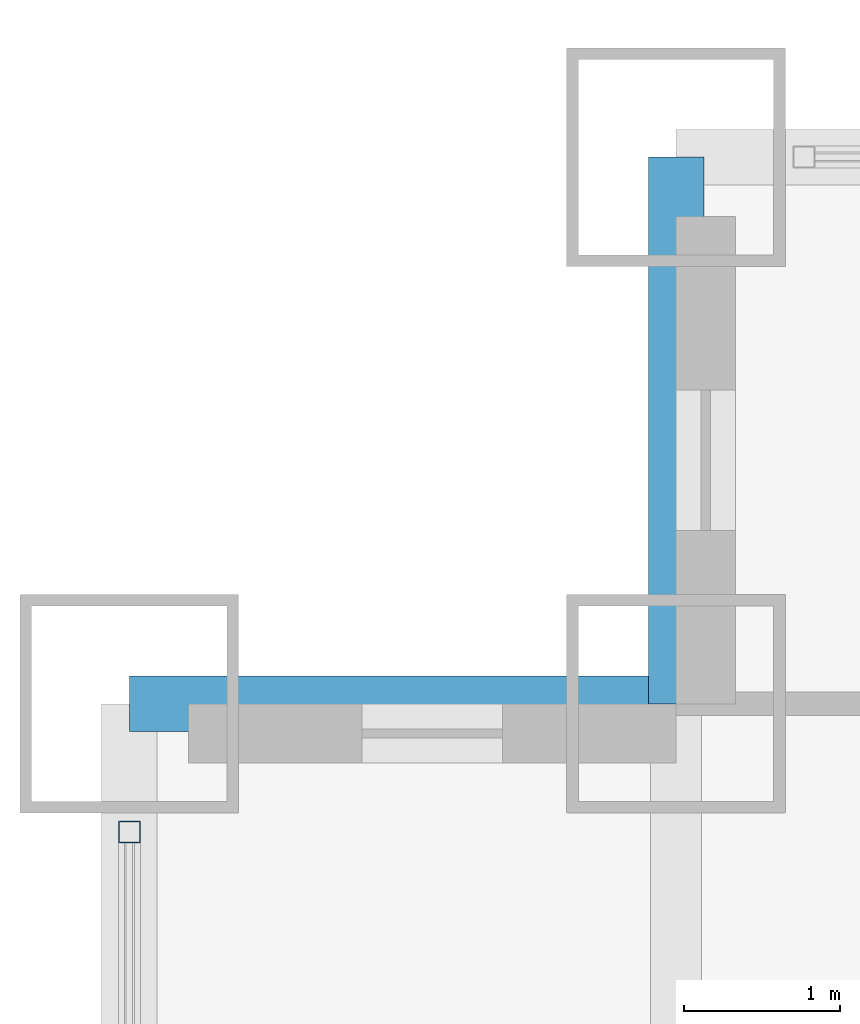
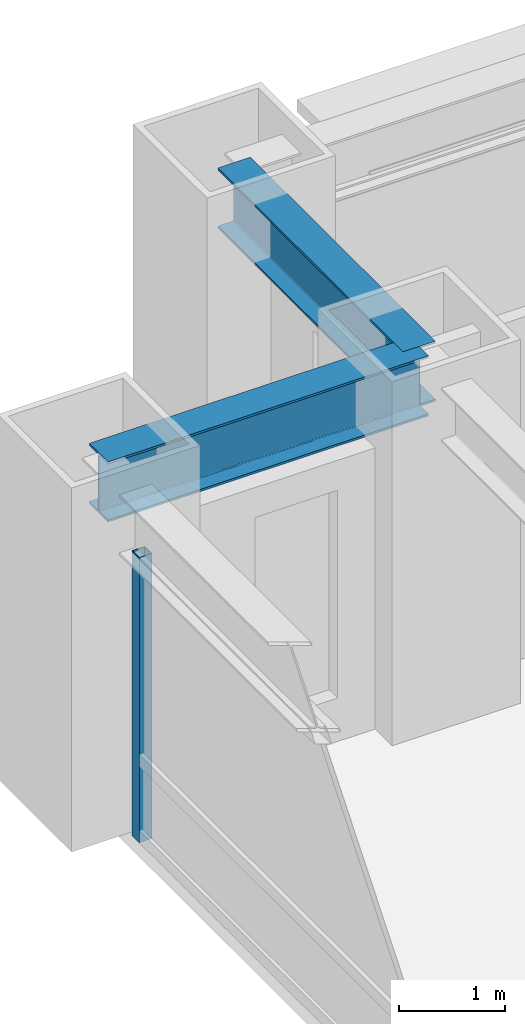
# One storey, part 14 of 31: 2 beams, 1 member, 1 element without a shape of its own.
"""IFC4 building model written with IfcOpenShell, lengths in metres."""

import ifcopenshell
import ifcopenshell.guid

model = None  # the IFC model being written
_history = None  # IfcOwnerHistory: only IFC2X3 demands one
_inside = {}  # id of a spatial element -> (the spatial element, [elements in it])
_under = {}  # id of a project, library or spatial element -> (it, [spatial elements below it])
_declared = {}  # id of a project -> (the project, [libraries it declares])
_typed = {}  # id of a type object -> (the type object, [elements of that type])
_made_of = {}  # id of a material, layer set ... -> (it, [elements and type objects made of it])


def new_model(schema):
    """Start an empty IFC model of exactly this schema.

    Asked for "IFC4X3", IfcOpenShell would pick the latest addendum, in which some entities
    have other attributes; the version numbers below select the first issue.
    IFC2X3 requires an IfcOwnerHistory on every rooted entity: one is made here for all.
    """
    global model, _history
    if schema == "IFC4X3":
        model = ifcopenshell.file(schema_version=(4, 3, 0, 0))
    else:
        model = ifcopenshell.file(schema=schema)
    _inside.clear()
    _under.clear()
    _declared.clear()
    _typed.clear()
    _made_of.clear()
    _history = None
    if model.schema == "IFC2X3":
        org = make("IfcOrganization", Name="unknown")
        user = make(
            "IfcPersonAndOrganization",
            ThePerson=make("IfcPerson", FamilyName="unknown"),
            TheOrganization=org,
        )
        app = make(
            "IfcApplication",
            ApplicationDeveloper=org,
            Version="unknown",
            ApplicationFullName="unknown",
            ApplicationIdentifier="unknown",
        )
        _history = make(
            "IfcOwnerHistory",
            OwningUser=user,
            OwningApplication=app,
            ChangeAction="ADDED",
            CreationDate=0,
        )
    return model


def make(cls, **values):
    """One entity of the class cls with the attributes given. An attribute that is None is left unset."""
    return model.create_entity(
        cls, **{name: value for name, value in values.items() if value is not None}
    )


def rooted(cls, **values):
    """An entity with a GlobalId (a new one), such as an element, a storey or a relation."""
    return make(cls, GlobalId=ifcopenshell.guid.new(), OwnerHistory=_history, **values)


def si_unit(unit_type, name, prefix=None):
    """IfcSIUnit, for example si_unit("LENGTHUNIT", "METRE", prefix="MILLI")."""
    return make("IfcSIUnit", UnitType=unit_type, Prefix=prefix, Name=name)


def assignment(units):
    """IfcUnitAssignment: the units of a project."""
    return None if units is None else make("IfcUnitAssignment", Units=units)


def point(xyz):
    """IfcCartesianPoint."""
    return None if xyz is None else make("IfcCartesianPoint", Coordinates=xyz)


def direction(xyz):
    """IfcDirection."""
    return None if xyz is None else make("IfcDirection", DirectionRatios=xyz)


def frame(location, z_axis=None, x_axis=None):
    """IfcAxis2Placement3D, a coordinate frame: its origin and axes. An axis left out is left unset."""
    return make(
        "IfcAxis2Placement3D",
        Location=point(location),
        Axis=direction(z_axis),
        RefDirection=direction(x_axis),
    )


def frame_2d(location, x_axis=None):
    """IfcAxis2Placement2D, a coordinate frame in the plane: its origin and x axis."""
    return make(
        "IfcAxis2Placement2D", Location=point(location), RefDirection=direction(x_axis)
    )


def origin():
    """The frame at (0, 0, 0) with its axes left unset."""
    return frame((0.0, 0.0, 0.0))


def origin_2d():
    """The frame at (0, 0) in the plane with its x axis left unset."""
    return frame_2d((0.0, 0.0))


def place(relative_to, where):
    """IfcLocalPlacement: puts the frame where relative to a parent placement (None: the world)."""
    return make(
        "IfcLocalPlacement", PlacementRelTo=relative_to, RelativePlacement=where
    )


def context(
    kind, dimensions, precision=None, world=None, true_north=None, identifier=None
):
    """IfcGeometricRepresentationContext, for example the 3D "Model" context."""
    return make(
        "IfcGeometricRepresentationContext",
        ContextIdentifier=identifier,
        ContextType=kind,
        CoordinateSpaceDimension=dimensions,
        Precision=precision,
        WorldCoordinateSystem=world,
        TrueNorth=true_north,
    )


def subcontext(parent, identifier, kind, view, scale=None):
    """IfcGeometricRepresentationSubContext, for example "Body" below "Model"."""
    return make(
        "IfcGeometricRepresentationSubContext",
        ContextIdentifier=identifier,
        ContextType=kind,
        ParentContext=parent,
        TargetScale=scale,
        TargetView=view,
    )


def project(units=None, contexts=None):
    """IfcProject with its units and contexts."""
    return rooted(
        "IfcProject",
        Name="project",
        RepresentationContexts=contexts,
        UnitsInContext=assignment(units),
    )


def spatial(cls, under=None, at=None, **own):
    """A site, building, storey or space (cls), placed at a placement, below another one or the project."""
    s = rooted(cls, ObjectPlacement=at, **own)
    if under is not None:
        _under.setdefault(under.id(), (under, []))[1].append(s)
    return s


def profile(cls, at=None, kind="AREA", **sizes):
    """A parametric profile (cls). Its sizes go by their IFC names, for example OverallWidth=200.0."""
    return make(cls, ProfileType=kind, Position=at, **sizes)


def hollow_rectangle(**sizes):
    """IfcRectangleHollowProfileDef."""
    return profile("IfcRectangleHollowProfileDef", **sizes)


def i_section(**sizes):
    """IfcIShapeProfileDef."""
    return profile("IfcIShapeProfileDef", **sizes)


def extrude(swept, where, along, depth):
    """IfcExtrudedAreaSolid: the profile swept, set in the frame where, extruded along a direction by depth."""
    return make(
        "IfcExtrudedAreaSolid",
        SweptArea=swept,
        Position=where,
        ExtrudedDirection=direction(along),
        Depth=depth,
    )


def shape(context_of_items, identifier, shape_type, items):
    """IfcShapeRepresentation: the items that make up one representation, for example the "Body"."""
    return make(
        "IfcShapeRepresentation",
        ContextOfItems=context_of_items,
        RepresentationIdentifier=identifier,
        RepresentationType=shape_type,
        Items=items,
    )


def source(mapping_origin, context_of_items, identifier, shape_type, items):
    """IfcRepresentationMap: a shape defined once, which mapped items show again and again."""
    return make(
        "IfcRepresentationMap",
        MappingOrigin=mapping_origin,
        MappedRepresentation=shape(context_of_items, identifier, shape_type, items),
    )


def transform(
    local_origin,
    x_axis=None,
    y_axis=None,
    z_axis=None,
    scale=None,
    scale2=None,
    scale3=None,
    uniform=True,
):
    """IfcCartesianTransformationOperator3D, or its non-uniform kind. x_axis, y_axis, z_axis: its Axis1, 2, 3."""
    if uniform:
        return make(
            "IfcCartesianTransformationOperator3D",
            Axis1=direction(x_axis),
            Axis2=direction(y_axis),
            LocalOrigin=point(local_origin),
            Scale=scale,
            Axis3=direction(z_axis),
        )
    return make(
        "IfcCartesianTransformationOperator3DnonUniform",
        Axis1=direction(x_axis),
        Axis2=direction(y_axis),
        LocalOrigin=point(local_origin),
        Scale=scale,
        Axis3=direction(z_axis),
        Scale2=scale2,
        Scale3=scale3,
    )


def mapped(mapping_source, mapping_target):
    """IfcMappedItem: shows the shape of a source again, moved by a transform."""
    return make(
        "IfcMappedItem", MappingSource=mapping_source, MappingTarget=mapping_target
    )


def material(Name=None, Category=None):
    """IfcMaterial."""
    return make("IfcMaterial", Name=Name, Category=Category)


def material_profile(
    of_material, cross_section, Name=None, Category=None, Priority=None
):
    """IfcMaterialProfile: a cross section and its material."""
    return make(
        "IfcMaterialProfile",
        Name=Name,
        Material=of_material,
        Profile=cross_section,
        Priority=Priority,
        Category=Category,
    )


def profile_set(profiles, Name=None, composite=None):
    """IfcMaterialProfileSet."""
    return make(
        "IfcMaterialProfileSet",
        Name=Name,
        MaterialProfiles=profiles,
        CompositeProfile=composite,
    )


def made_of(thing, what):
    """Note that an element or type object is made of a material, layer set ...; save() writes the relation."""
    if what is not None:
        _made_of.setdefault(what.id(), (what, []))[1].append(thing)
    return thing


def type_object(cls, material=None, **own):
    """A type object (cls), such as IfcWallType, which elements share."""
    return made_of(rooted(cls, **own), material)


def element(
    cls,
    number,
    at=None,
    inside=None,
    cuts=None,
    type_object=None,
    material=None,
    context=None,
    identifier="Body",
    shape_type=None,
    held_by="IfcProductDefinitionShape",
    body=None,
    shapes=None,
    **own,
):
    """One element of the class cls, such as IfcWall. Its Tag is "e" and its number.

    at: its placement. inside: the storey or other place that contains it. cuts: it is an
    opening in that element (IfcRelVoidsElement). A single representation is given by context,
    identifier, shape_type and body (its items); several are given by shapes. held_by: the class
    of the entity that holds the representations. save() writes the other relations.
    """
    e = rooted(cls, Tag="e%d" % number, ObjectPlacement=at, **own)
    if body is not None:
        shapes = [shape(context, identifier, shape_type, body)]
    if shapes is not None:
        e.Representation = make(held_by, Representations=shapes)
    if inside is not None:
        _inside.setdefault(inside.id(), (inside, []))[1].append(e)
    if cuts is not None:
        rooted(
            "IfcRelVoidsElement", RelatingBuildingElement=cuts, RelatedOpeningElement=e
        )
    if type_object is not None:
        _typed.setdefault(type_object.id(), (type_object, []))[1].append(e)
    return made_of(e, material)


def aggregate(whole, parts):
    """IfcRelAggregates: a whole, such as a stair, and the parts it consists of."""
    return rooted("IfcRelAggregates", RelatingObject=whole, RelatedObjects=parts)


def save(model, path):
    """Write the relations noted so far, then the file.

    IfcRelAggregates (storeys below a building ...), IfcRelContainedInSpatialStructure (elements
    in a storey), IfcRelDefinesByType, IfcRelAssociatesMaterial and IfcRelDeclares: one each for
    every whole, place, type object, material and project.
    """
    for whole, parts in _under.values():
        aggregate(whole, parts)
    for where, things in _inside.values():
        rooted(
            "IfcRelContainedInSpatialStructure",
            RelatedElements=things,
            RelatingStructure=where,
        )
    for kind, things in _typed.values():
        rooted("IfcRelDefinesByType", RelatedObjects=things, RelatingType=kind)
    for what, things in _made_of.values():
        rooted("IfcRelAssociatesMaterial", RelatedObjects=things, RelatingMaterial=what)
    for by, libraries in _declared.values():
        rooted("IfcRelDeclares", RelatingContext=by, RelatedDefinitions=libraries)
    model.write(path)


model = new_model("IFC4")

# Units and contexts
model_context = context("Model", 3, precision=1e-05, world=origin(), true_north=direction((0.0, 1.0)))
body_context = subcontext(model_context, "Body", "Model", "MODEL_VIEW")
ifc_project = project(units=[si_unit("LENGTHUNIT", "METRE"), si_unit("AREAUNIT", "SQUARE_METRE"), si_unit("VOLUMEUNIT", "CUBIC_METRE"), si_unit("PLANEANGLEUNIT", "RADIAN"), si_unit("MASSUNIT", "GRAM", prefix="KILO")], contexts=[model_context])

# Site, building, storey
site_placement = place(None, origin())
site = spatial("IfcSite", under=ifc_project, at=site_placement, CompositionType="ELEMENT")
building_placement = place(site_placement, origin())
building = spatial("IfcBuilding", under=site, at=building_placement, Name="Khorayat Bourse Tower", CompositionType="ELEMENT")
storey_placement = place(building_placement, frame((0.0, 0.0, 32.60009765625)))
storey = spatial("IfcBuildingStorey", under=building, at=storey_placement, Name="L06", CompositionType="ELEMENT", Elevation=32.60009765625)

# Beams
ifc_material_1 = material(Name="Steel ASTM A992 Grade 50", Category="steel")
ifc_material_profile_1 = material_profile(ifc_material_1, i_section(OverallWidth=0.35498046875, OverallDepth=0.695068359375, WebThickness=0.015380859375, FlangeThickness=0.02490234375, FilletRadius=0.01806640625, at=origin_2d()), Name="W690X217")
ifc_profile_set_1 = profile_set([ifc_material_profile_1], Name="Steel ASTM A992 Grade 50")
beam_type = type_object("IfcBeamType", Name="BM-SPAN-690", PredefinedType="SPANDREL", material=ifc_profile_set_1)
shared_shape_1 = source(origin(), body_context, "Body", "SweptSolid", [
    extrude(i_section(OverallWidth=0.35498046875, OverallDepth=0.695068359375, WebThickness=0.015380859375, FlangeThickness=0.02490234375, FilletRadius=0.01806640625, at=origin_2d()), origin(), (0.0, 0.0, 1.0), 3.5),
])
for number, where, z_axis, x_axis, name in (
    (1, (-28.5, 28.5, 3.59228515625), (0.0, 1.0, 0.0), (-1.0, 0.0, 0.0), "L06 BM-SPAN-690 BM-L06-SPN-052"),
    (2, (-32.0, 28.5, 3.59228515625), (1.0, 0.0, 0.0), (0.0, 1.0, 0.0), "L06 BM-SPAN-690 BM-L06-SPN-053"),
):
    element("IfcBeam", number, at=place(storey_placement, frame(where, z_axis=z_axis, x_axis=x_axis)), inside=storey, type_object=beam_type, Name=name, PredefinedType="SPANDREL", context=body_context, shape_type="MappedRepresentation", body=[
        mapped(shared_shape_1, transform((0.0, 0.0, 0.0), scale=1.0)),
    ])

# Curtain wall, member
ifc_material_2 = material(Name="Aluminium EN AW-6063 T6", Category="aluminium")
curtain_wall_type = type_object("IfcCurtainWallType", Name="CW-SYS-02", PredefinedType="NOTDEFINED", material=ifc_material_2)
curtain_wall_placement = place(storey_placement, origin())
curtain_wall = element("IfcCurtainWall", 3, at=curtain_wall_placement, inside=storey, type_object=curtain_wall_type, Name="L06 Curtain Wall CW-L06-W1", PredefinedType="NOTDEFINED")
ifc_material_profile_2 = material_profile(ifc_material_2, hollow_rectangle(XDim=0.139892578125, YDim=0.139892578125, WallThickness=0.006103515625, at=origin_2d()), Name="ALU 140x140x6")
ifc_profile_set_2 = profile_set([ifc_material_profile_2], Name="Aluminium EN AW-6063 T6")
member_type = type_object("IfcMemberType", Name="CWM-VERT-140", PredefinedType="MULLION", material=ifc_profile_set_2)
shared_shape_2 = source(origin(), body_context, "Body", "SweptSolid", [
    extrude(hollow_rectangle(XDim=0.139892578125, YDim=0.139892578125, WallThickness=0.006103515625, at=origin_2d()), origin(), (0.0, 0.0, 1.0), 3.289794921875),
])
member_placement = place(storey_placement, frame((-32.0, 27.679931640625, 0.0), z_axis=(0.0, 0.0, 1.0), x_axis=(-1.0, 0.0, 0.0)))
member = element("IfcMember", 4, at=member_placement, type_object=member_type, Name="CW-L06-W1 Vertical Mullion 4", PredefinedType="MULLION", context=body_context, shape_type="MappedRepresentation", body=[
    mapped(shared_shape_2, transform((0.0, 0.0, 0.0), scale=1.0)),
])
aggregate(curtain_wall, [member])

save(model, "model.ifc")
